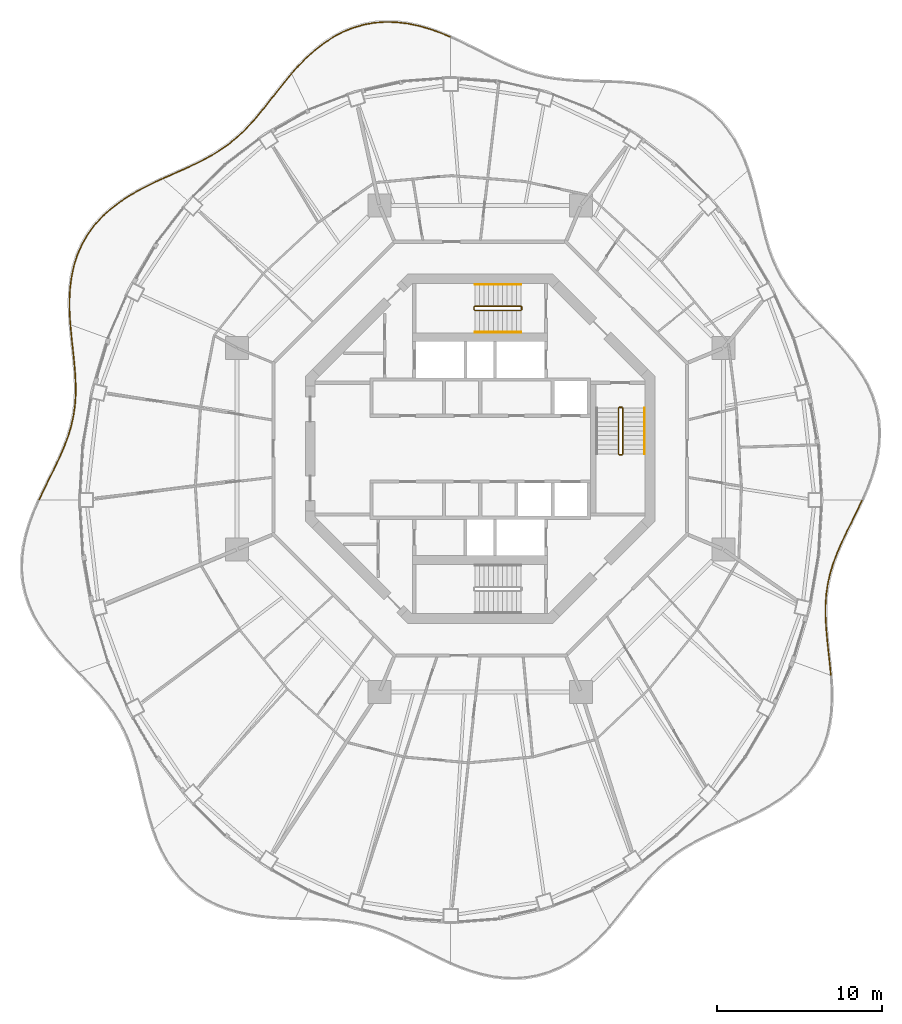
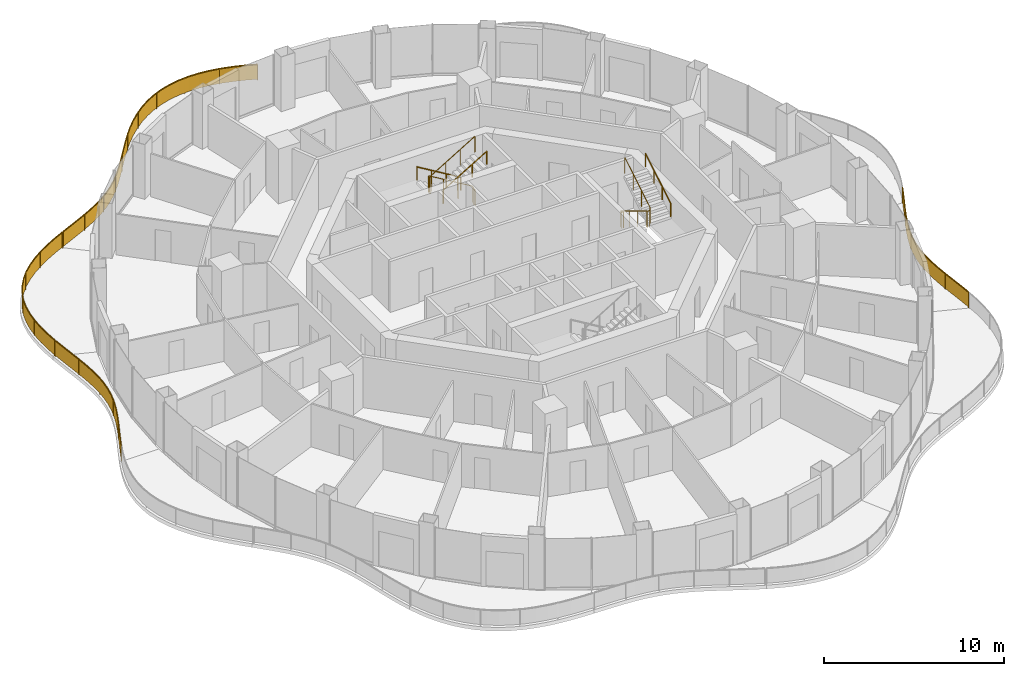
# One storey, part 16 of 17: 10 railings.
"""IFC4 building model written with IfcOpenShell, lengths in metres."""

from ifc_helpers import new_model, si_unit, direction, frame, origin, origin_2d, place, context, subcontext, project, spatial, polyline, rectangle, circle, outline, extrude, material, type_object, element, save


model = new_model("IFC4")

# Units and contexts
model_context = context("Model", 3, precision=1e-05, world=origin(), true_north=direction((0.0, 1.0)))
body_context = subcontext(model_context, "Body", "Model", "MODEL_VIEW")
ifc_project = project(units=[si_unit("LENGTHUNIT", "METRE"), si_unit("AREAUNIT", "SQUARE_METRE"), si_unit("VOLUMEUNIT", "CUBIC_METRE"), si_unit("PLANEANGLEUNIT", "RADIAN"), si_unit("MASSUNIT", "GRAM", prefix="KILO")], contexts=[model_context])

# Site, building, storey
site_placement = place(None, origin())
site = spatial("IfcSite", under=ifc_project, at=site_placement, CompositionType="ELEMENT")
building_placement = place(site_placement, origin())
building = spatial("IfcBuilding", under=site, at=building_placement, Name="Nagisa Residences", CompositionType="ELEMENT")
storey_placement = place(building_placement, frame((0.0, 0.0, 280.699951171875)))
storey = spatial("IfcBuildingStorey", under=building, at=storey_placement, Name="L71", CompositionType="ELEMENT", Elevation=280.699951171875)

# Railings
ifc_material_1 = material(Name="Stainless steel 316", Category="steel")
railing_type_1 = type_object("IfcRailingType", Name="BALCONY GUARD 1100", PredefinedType="BALUSTRADE", material=ifc_material_1)
railing_1_placement = place(storey_placement, frame((-1.835205078125, 25.0244140625, 0.0)))
element("IfcRailing", 1, at=railing_1_placement, inside=storey, type_object=railing_type_1, Name="guard:L71:bal04-0", PredefinedType="BALUSTRADE", context=body_context, shape_type="SweptSolid", body=[
    extrude(outline(polyline([(-0.602294921875, 0.22412109375), (-0.009521484375, -0.023193359375), (0.009521484375, 0.023193359375), (-0.584228515625, 0.27099609375), (-1.23681640625, 0.5009765625), (-1.901123046875, 0.68896484375), (-2.573486328125, 0.826416015625), (-3.2470703125, 0.906494140625), (-3.9072265625, 0.92626953125), (-4.57666015625, 0.876953125), (-5.23486328125, 0.75927734375), (-5.876953125, 0.57373046875), (-6.498291015625, 0.32275390625), (-7.07958984375, 0.01513671875), (-7.6494140625, -0.352783203125), (-8.19140625, -0.76953125), (-8.70458984375, -1.22607421875), (-9.190185546875, -1.714111328125), (-9.6162109375, -2.19091796875), (-9.5791015625, -2.22412109375), (-9.153564453125, -1.748291015625), (-8.67041015625, -1.2626953125), (-8.15966796875, -0.80810546875), (-7.62060546875, -0.393798828125), (-7.05419921875, -0.0283203125), (-6.477294921875, 0.27734375), (-5.8603515625, 0.5263671875), (-5.2236328125, 0.71044921875), (-4.5703125, 0.8271484375), (-3.90625, 0.8759765625), (-3.2509765625, 0.856689453125), (-2.581298828125, 0.777099609375), (-1.912841796875, 0.64013671875), (-1.251953125, 0.453125), (-0.602294921875, 0.22412109375)])), frame((0.0, 0.0, 1.050048828125)), (0.0, 0.0, 1.0), 0.050048828125),
    extrude(outline(polyline([(-0.595703125, 0.240966796875), (-0.002685546875, -0.00634765625), (0.002685546875, 0.00634765625), (-0.5908203125, 0.254150390625), (-1.2421875, 0.483642578125), (-1.9052734375, 0.67138671875), (-2.576171875, 0.80859375), (-3.24853515625, 0.888671875), (-3.906982421875, 0.908203125), (-4.574462890625, 0.85888671875), (-5.23095703125, 0.74169921875), (-5.870849609375, 0.556640625), (-6.49072265625, 0.306396484375), (-7.070556640625, -0.00048828125), (-7.63916015625, -0.36767578125), (-8.179931640625, -0.783447265625), (-8.6923828125, -1.2392578125), (-9.177001953125, -1.726318359375), (-9.602783203125, -2.202880859375), (-9.592529296875, -2.212158203125), (-9.166748046875, -1.736083984375), (-8.6826171875, -1.24951171875), (-8.171142578125, -0.794189453125), (-7.630859375, -0.37890625), (-7.063232421875, -0.0126953125), (-6.48486328125, 0.293701171875), (-5.866455078125, 0.54345703125), (-5.2275390625, 0.72802734375), (-4.572509765625, 0.84521484375), (-3.906494140625, 0.89404296875), (-3.24951171875, 0.87451171875), (-2.57861328125, 0.794921875), (-1.90869140625, 0.65771484375), (-1.24658203125, 0.470458984375), (-0.595703125, 0.240966796875)])), frame((0.0, 0.0, 0.06005859375)), (0.0, 0.0, 1.0), 0.989990234375),
    extrude(rectangle(XDim=0.0400390625, YDim=0.0400390625, at=origin_2d()), origin(), (0.0, 0.0, 1.0), 1.050048828125),
    extrude(rectangle(XDim=0.0400390625, YDim=0.0400390625, at=origin_2d()), frame((-2.029052734375, 0.689453125, 0.0)), (0.0, 0.0, 1.0), 1.050048828125),
    extrude(rectangle(XDim=0.0400390625, YDim=0.0400390625, at=origin_2d()), frame((-4.15869140625, 0.882568359375, 0.0)), (0.0, 0.0, 1.0), 1.050048828125),
    extrude(rectangle(XDim=0.0400390625, YDim=0.0400390625, at=origin_2d()), frame((-6.238525390625, 0.400634765625, 0.0)), (0.0, 0.0, 1.0), 1.050048828125),
    extrude(rectangle(XDim=0.0400390625, YDim=0.0400390625, at=origin_2d()), frame((-8.068115234375, -0.7060546875, 0.0)), (0.0, 0.0, 1.0), 1.050048828125),
    extrude(rectangle(XDim=0.0400390625, YDim=0.0400390625, at=origin_2d()), frame((-9.59765625, -2.20751953125, 0.0)), (0.0, 0.0, 1.0), 1.050048828125),
])
railing_2_placement = place(storey_placement, frame((-11.48193359375, 22.758056640625, 0.0)))
element("IfcRailing", 2, at=railing_2_placement, inside=storey, type_object=railing_type_1, Name="guard:L71:bal05-0", PredefinedType="BALUSTRADE", context=body_context, shape_type="SweptSolid", body=[
    extrude(outline(polyline([(-0.401611328125, -0.5224609375), (0.019287109375, -0.01611328125), (-0.019287109375, 0.01611328125), (-0.440185546875, -0.49072265625), (-0.87353515625, -1.0341796875), (-1.29345703125, -1.571044921875), (-1.70556640625, -2.09228515625), (-2.116943359375, -2.59130859375), (-2.52001953125, -3.05322265625), (-2.948974609375, -3.4931640625), (-3.395751953125, -3.90087890625), (-3.8642578125, -4.276123046875), (-4.358642578125, -4.62109375), (-4.867919921875, -4.92919921875), (-5.4169921875, -5.2265625), (-5.991943359375, -5.5087890625), (-6.589599609375, -5.782958984375), (-7.205322265625, -6.05615234375), (-7.79150390625, -6.31591796875), (-7.77099609375, -6.36181640625), (-7.184814453125, -6.10205078125), (-6.569091796875, -5.828369140625), (-5.970458984375, -5.55419921875), (-5.39404296875, -5.27099609375), (-4.843017578125, -4.97265625), (-4.331298828125, -4.6630859375), (-3.83447265625, -4.316162109375), (-3.363037109375, -3.93896484375), (-2.914306640625, -3.529296875), (-2.4833984375, -3.08740234375), (-2.078857421875, -2.62353515625), (-1.66650390625, -2.12353515625), (-1.25390625, -1.601806640625), (-0.83447265625, -1.0654296875), (-0.401611328125, -0.5224609375)])), frame((0.0, 0.0, 1.050048828125)), (0.0, 0.0, 1.0), 0.050048828125),
    extrude(outline(polyline([(-0.41552734375, -0.510986328125), (0.00537109375, -0.00439453125), (-0.00537109375, 0.00439453125), (-0.42626953125, -0.502197265625), (-0.859619140625, -1.04541015625), (-1.279296875, -1.58203125), (-1.69140625, -2.103515625), (-2.103271484375, -2.602783203125), (-2.5068359375, -3.065673828125), (-2.9365234375, -3.506103515625), (-3.384033203125, -3.91455078125), (-3.853515625, -4.29052734375), (-4.348876953125, -4.63623046875), (-4.85888671875, -4.94482421875), (-5.40869140625, -5.24267578125), (-5.984130859375, -5.525146484375), (-6.582275390625, -5.79931640625), (-7.197998046875, -6.07275390625), (-7.7841796875, -6.33251953125), (-7.7783203125, -6.34521484375), (-7.192138671875, -6.08544921875), (-6.576416015625, -5.81201171875), (-5.978271484375, -5.537841796875), (-5.40234375, -5.2548828125), (-4.85205078125, -4.95703125), (-4.341064453125, -4.64794921875), (-3.84521484375, -4.3017578125), (-3.374755859375, -3.92529296875), (-2.9267578125, -3.516357421875), (-2.49658203125, -3.074951171875), (-2.092529296875, -2.612060546875), (-1.6806640625, -2.1123046875), (-1.26806640625, -1.5908203125), (-0.848388671875, -1.05419921875), (-0.41552734375, -0.510986328125)])), frame((0.0, 0.0, 0.06005859375)), (0.0, 0.0, 1.0), 0.989990234375),
    extrude(rectangle(XDim=0.0400390625, YDim=0.0400390625, at=origin_2d()), origin(), (0.0, 0.0, 1.0), 1.050048828125),
    extrude(rectangle(XDim=0.0400390625, YDim=0.0400390625, at=origin_2d()), frame((-1.2802734375, -1.5947265625, 0.0)), (0.0, 0.0, 1.0), 1.050048828125),
    extrude(rectangle(XDim=0.0400390625, YDim=0.0400390625, at=origin_2d()), frame((-2.592041015625, -3.162841796875, 0.0)), (0.0, 0.0, 1.0), 1.050048828125),
    extrude(rectangle(XDim=0.0400390625, YDim=0.0400390625, at=origin_2d()), frame((-4.13671875, -4.49658203125, 0.0)), (0.0, 0.0, 1.0), 1.050048828125),
    extrude(rectangle(XDim=0.0400390625, YDim=0.0400390625, at=origin_2d()), frame((-5.916259765625, -5.49951171875, 0.0)), (0.0, 0.0, 1.0), 1.050048828125),
    extrude(rectangle(XDim=0.0400390625, YDim=0.0400390625, at=origin_2d()), frame((-7.78125, -6.3388671875, 0.0)), (0.0, 0.0, 1.0), 1.050048828125),
])
railing_3_placement = place(storey_placement, frame((-19.333251953125, 16.38916015625, 0.0)))
element("IfcRailing", 3, at=railing_3_placement, inside=storey, type_object=railing_type_1, Name="guard:L71:bal06-0", PredefinedType="BALUSTRADE", context=body_context, shape_type="SweptSolid", body=[
    extrude(outline(polyline([(-0.6103515625, -0.310302734375), (0.010498046875, -0.022705078125), (-0.010498046875, 0.022705078125), (-0.63232421875, -0.265380859375), (-1.28857421875, -0.598388671875), (-1.928955078125, -0.961669921875), (-2.54296875, -1.361083984375), (-3.119140625, -1.79931640625), (-3.642578125, -2.269775390625), (-4.119384765625, -2.794921875), (-4.53466796875, -3.362060546875), (-4.884521484375, -3.968505859375), (-5.166259765625, -4.6103515625), (-5.373779296875, -5.269287109375), (-5.5224609375, -5.965576171875), (-5.611083984375, -6.6796875), (-5.646484375, -7.40478515625), (-5.63720703125, -8.135009765625), (-5.594482421875, -8.818359375), (-5.544677734375, -8.8154296875), (-5.58740234375, -8.133056640625), (-5.59619140625, -7.40576171875), (-5.561279296875, -6.68408203125), (-5.47314453125, -5.973876953125), (-5.325439453125, -5.281982421875), (-5.119384765625, -4.6279296875), (-4.839599609375, -3.990966796875), (-4.49267578125, -3.389404296875), (-4.080322265625, -2.82666015625), (-3.607421875, -2.305419921875), (-3.08740234375, -1.837890625), (-2.51416015625, -1.402099609375), (-1.903076171875, -1.004638671875), (-1.2646484375, -0.642333984375), (-0.6103515625, -0.310302734375)])), frame((0.0, 0.0, 1.050048828125)), (0.0, 0.0, 1.0), 0.050048828125),
    extrude(outline(polyline([(-0.6181640625, -0.294189453125), (0.0029296875, -0.00634765625), (-0.0029296875, 0.00634765625), (-0.62451171875, -0.281494140625), (-1.280029296875, -0.6142578125), (-1.919677734375, -0.97705078125), (-2.53271484375, -1.3759765625), (-3.107666015625, -1.813232421875), (-3.6298828125, -2.28271484375), (-4.105224609375, -2.806396484375), (-4.51953125, -3.371826171875), (-4.868408203125, -3.9765625), (-5.1494140625, -4.61669921875), (-5.3564453125, -5.27392578125), (-5.504638671875, -5.968505859375), (-5.59326171875, -6.681396484375), (-5.62841796875, -7.405029296875), (-5.619384765625, -8.13427734375), (-5.57666015625, -8.8173828125), (-5.5625, -8.81640625), (-5.605224609375, -8.1337890625), (-5.6142578125, -7.405517578125), (-5.5791015625, -6.682373046875), (-5.490966796875, -5.970947265625), (-5.3427734375, -5.27734375), (-5.13623046875, -4.62158203125), (-4.855712890625, -3.98291015625), (-4.5078125, -3.379638671875), (-4.094482421875, -2.815185546875), (-3.6201171875, -2.29248046875), (-3.098876953125, -1.823974609375), (-2.5244140625, -1.38720703125), (-1.912353515625, -0.9892578125), (-1.273193359375, -0.62646484375), (-0.6181640625, -0.294189453125)])), frame((0.0, 0.0, 0.06005859375)), (0.0, 0.0, 1.0), 0.989990234375),
    extrude(rectangle(XDim=0.0400390625, YDim=0.0400390625, at=origin_2d()), origin(), (0.0, 0.0, 1.0), 1.050048828125),
    extrude(rectangle(XDim=0.0400390625, YDim=0.0400390625, at=origin_2d()), frame((-2.01513671875, -1.047607421875, 0.0)), (0.0, 0.0, 1.0), 1.050048828125),
    extrude(rectangle(XDim=0.0400390625, YDim=0.0400390625, at=origin_2d()), frame((-3.7841796875, -2.462890625, 0.0)), (0.0, 0.0, 1.0), 1.050048828125),
    extrude(rectangle(XDim=0.0400390625, YDim=0.0400390625, at=origin_2d()), frame((-5.025146484375, -4.35107421875, 0.0)), (0.0, 0.0, 1.0), 1.050048828125),
    extrude(rectangle(XDim=0.0400390625, YDim=0.0400390625, at=origin_2d()), frame((-5.569580078125, -6.54736328125, 0.0)), (0.0, 0.0, 1.0), 1.050048828125),
    extrude(rectangle(XDim=0.0400390625, YDim=0.0400390625, at=origin_2d()), frame((-5.569580078125, -8.81689453125, 0.0)), (0.0, 0.0, 1.0), 1.050048828125),
])
railing_4_placement = place(storey_placement, frame((-24.895751953125, 7.495849609375, 0.0)))
element("IfcRailing", 4, at=railing_4_placement, inside=storey, type_object=railing_type_1, Name="guard:L71:bal07-0", PredefinedType="BALUSTRADE", context=body_context, shape_type="SweptSolid", body=[
    extrude(outline(polyline([(0.0908203125, -0.697265625), (0.02490234375, 0.00244140625), (-0.02490234375, -0.00244140625), (0.041015625, -0.7021484375), (0.11962890625, -1.435791015625), (0.19580078125, -2.154541015625), (0.25732421875, -2.85595703125), (0.29296875, -3.539794921875), (0.2958984375, -4.19287109375), (0.253173828125, -4.84423828125), (0.16259765625, -5.483642578125), (0.02294921875, -6.1142578125), (-0.16552734375, -6.74072265625), (-0.397216796875, -7.353759765625), (-0.6689453125, -7.984375), (-0.97021484375, -8.622802734375), (-1.2900390625, -9.2724609375), (-1.61572265625, -9.934326171875), (-1.916748046875, -10.568359375), (-1.871337890625, -10.58984375), (-1.57080078125, -9.956298828125), (-1.2451171875, -9.29443359375), (-0.92529296875, -8.644775390625), (-0.62353515625, -8.0048828125), (-0.350830078125, -7.372314453125), (-0.1181640625, -6.7568359375), (0.0712890625, -6.126953125), (0.2119140625, -5.492431640625), (0.302978515625, -4.849609375), (0.34619140625, -4.1943359375), (0.3427734375, -3.538330078125), (0.30712890625, -2.8525390625), (0.24560546875, -2.149658203125), (0.16943359375, -1.430419921875), (0.0908203125, -0.697265625)])), frame((0.0, 0.0, 1.050048828125)), (0.0, 0.0, 1.0), 0.050048828125),
    extrude(outline(polyline([(0.072998046875, -0.698974609375), (0.007080078125, 0.000732421875), (-0.007080078125, -0.000732421875), (0.058837890625, -0.700439453125), (0.137451171875, -1.433837890625), (0.213623046875, -2.15283203125), (0.275146484375, -2.854736328125), (0.310791015625, -3.539306640625), (0.31396484375, -4.193359375), (0.27099609375, -4.84619140625), (0.180419921875, -5.48681640625), (0.040283203125, -6.118896484375), (-0.1484375, -6.74658203125), (-0.380615234375, -7.3603515625), (-0.652587890625, -7.99169921875), (-0.9541015625, -8.630859375), (-1.27392578125, -9.2802734375), (-1.599609375, -9.9423828125), (-1.900390625, -10.576171875), (-1.8876953125, -10.58203125), (-1.5869140625, -9.9482421875), (-1.26123046875, -9.28662109375), (-0.94140625, -8.63671875), (-0.639892578125, -7.99755859375), (-0.367431640625, -7.36572265625), (-0.13525390625, -6.7509765625), (0.053955078125, -6.122314453125), (0.194091796875, -5.4892578125), (0.28515625, -4.84765625), (0.328125, -4.19384765625), (0.324951171875, -3.538818359375), (0.289306640625, -2.853759765625), (0.227783203125, -2.1513671875), (0.151611328125, -1.432373046875), (0.072998046875, -0.698974609375)])), frame((0.0, 0.0, 0.06005859375)), (0.0, 0.0, 1.0), 0.989990234375),
    extrude(rectangle(XDim=0.0400390625, YDim=0.0400390625, at=origin_2d()), origin(), (0.0, 0.0, 1.0), 1.050048828125),
    extrude(rectangle(XDim=0.0400390625, YDim=0.0400390625, at=origin_2d()), frame((0.224365234375, -2.1943359375, 0.0)), (0.0, 0.0, 1.0), 1.050048828125),
    extrude(rectangle(XDim=0.0400390625, YDim=0.0400390625, at=origin_2d()), frame((0.3076171875, -4.396240234375, 0.0)), (0.0, 0.0, 1.0), 1.050048828125),
    extrude(rectangle(XDim=0.0400390625, YDim=0.0400390625, at=origin_2d()), frame((-0.0849609375, -6.559814453125, 0.0)), (0.0, 0.0, 1.0), 1.050048828125),
    extrude(rectangle(XDim=0.0400390625, YDim=0.0400390625, at=origin_2d()), frame((-0.9296875, -8.595458984375, 0.0)), (0.0, 0.0, 1.0), 1.050048828125),
    extrude(rectangle(XDim=0.0400390625, YDim=0.0400390625, at=origin_2d()), frame((-1.89404296875, -10.5791015625, 0.0)), (0.0, 0.0, 1.0), 1.050048828125),
])
railing_5_placement = place(storey_placement, frame((21.295654296875, -13.731201171875, 0.0)))
element("IfcRailing", 5, at=railing_5_placement, inside=storey, type_object=railing_type_1, Name="guard:L71:bal15-0", PredefinedType="BALUSTRADE", context=body_context, shape_type="SweptSolid", body=[
    extrude(outline(polyline([(-0.090576171875, 0.697265625), (-0.02490234375, -0.00244140625), (0.02490234375, 0.00244140625), (-0.040771484375, 0.7021484375), (-0.119384765625, 1.435791015625), (-0.19580078125, 2.154541015625), (-0.25732421875, 2.85595703125), (-0.292724609375, 3.539794921875), (-0.295654296875, 4.19287109375), (-0.2529296875, 4.843994140625), (-0.16259765625, 5.483642578125), (-0.022705078125, 6.1142578125), (0.165771484375, 6.74072265625), (0.3974609375, 7.353759765625), (0.6689453125, 7.984375), (0.97021484375, 8.622802734375), (1.2900390625, 9.2724609375), (1.61572265625, 9.934326171875), (1.916748046875, 10.568359375), (1.871337890625, 10.58984375), (1.57080078125, 9.956298828125), (1.2451171875, 9.29443359375), (0.92529296875, 8.644775390625), (0.62353515625, 8.0048828125), (0.35107421875, 7.372314453125), (0.118408203125, 6.7568359375), (-0.071044921875, 6.126953125), (-0.2119140625, 5.492431640625), (-0.302734375, 4.849365234375), (-0.345947265625, 4.1943359375), (-0.342529296875, 3.538330078125), (-0.30712890625, 2.8525390625), (-0.24560546875, 2.149658203125), (-0.169189453125, 1.430419921875), (-0.090576171875, 0.697265625)])), frame((0.0, 0.0, 1.050048828125)), (0.0, 0.0, 1.0), 0.050048828125),
    extrude(outline(polyline([(-0.07275390625, 0.698974609375), (-0.007080078125, -0.000732421875), (0.007080078125, 0.000732421875), (-0.05859375, 0.700439453125), (-0.13720703125, 1.433837890625), (-0.213623046875, 2.15283203125), (-0.275146484375, 2.854736328125), (-0.310546875, 3.539306640625), (-0.313720703125, 4.193359375), (-0.270751953125, 4.845947265625), (-0.180419921875, 5.48681640625), (-0.0400390625, 6.118896484375), (0.148681640625, 6.74658203125), (0.380859375, 7.3603515625), (0.652587890625, 7.99169921875), (0.9541015625, 8.630859375), (1.27392578125, 9.2802734375), (1.599609375, 9.9423828125), (1.900390625, 10.576171875), (1.8876953125, 10.58203125), (1.5869140625, 9.9482421875), (1.26123046875, 9.28662109375), (0.94140625, 8.63671875), (0.639892578125, 7.99755859375), (0.36767578125, 7.36572265625), (0.135498046875, 6.7509765625), (-0.0537109375, 6.122314453125), (-0.194091796875, 5.4892578125), (-0.284912109375, 4.847412109375), (-0.327880859375, 4.19384765625), (-0.32470703125, 3.538818359375), (-0.289306640625, 2.853759765625), (-0.227783203125, 2.1513671875), (-0.1513671875, 1.432373046875), (-0.07275390625, 0.698974609375)])), frame((0.0, 0.0, 0.06005859375)), (0.0, 0.0, 1.0), 0.989990234375),
    extrude(rectangle(XDim=0.0400390625, YDim=0.0400390625, at=origin_2d()), origin(), (0.0, 0.0, 1.0), 1.050048828125),
    extrude(rectangle(XDim=0.0400390625, YDim=0.0400390625, at=origin_2d()), frame((-0.224365234375, 2.1943359375, 0.0)), (0.0, 0.0, 1.0), 1.050048828125),
    extrude(rectangle(XDim=0.0400390625, YDim=0.0400390625, at=origin_2d()), frame((-0.307373046875, 4.396240234375, 0.0)), (0.0, 0.0, 1.0), 1.050048828125),
    extrude(rectangle(XDim=0.0400390625, YDim=0.0400390625, at=origin_2d()), frame((0.085205078125, 6.559814453125, 0.0)), (0.0, 0.0, 1.0), 1.050048828125),
    extrude(rectangle(XDim=0.0400390625, YDim=0.0400390625, at=origin_2d()), frame((0.9296875, 8.595458984375, 0.0)), (0.0, 0.0, 1.0), 1.050048828125),
    extrude(rectangle(XDim=0.0400390625, YDim=0.0400390625, at=origin_2d()), frame((1.89404296875, 10.5791015625, 0.0)), (0.0, 0.0, 1.0), 1.050048828125),
])
ifc_material_2 = material(Name="Stainless steel", Category="steel")
railing_type_2 = type_object("IfcRailingType", Name="Stair guard 1100", PredefinedType="GUARDRAIL", material=ifc_material_2)
railing_6_placement = place(storey_placement, frame((8.599609375, 2.52490234375, 0.0)))
element("IfcRailing", 6, at=railing_6_placement, inside=storey, type_object=railing_type_2, Name="L71 ST-E stair guard 1", PredefinedType="GUARDRAIL", context=body_context, shape_type="SweptSolid", body=[
    extrude(circle(Radius=0.02392578125, at=origin_2d()), frame((0.0, 0.0, 1.076171875), z_axis=(-1.0, 0.0, 0.0), x_axis=(0.0, -1.0, 0.0)), (0.0, 0.0, 1.0), 0.14990234375),
    extrude(circle(Radius=0.02392578125, at=origin_2d()), frame((-0.14990234375, 0.0, 1.076171875), z_axis=(-0.27434429532, -0.273006030465, 0.922064485248), x_axis=(0.705375805398, -0.708833529934, 0.0)), (0.0, 0.0, 1.0), 0.182373046875),
    extrude(circle(Radius=0.02392578125, at=origin_2d()), frame((-0.199951171875, -0.0498046875, 1.244140625), z_axis=(0.0, -0.857242210791, 0.514913383045), x_axis=(1.0, 0.0, 0.0)), (0.0, 0.0, 1.0), 3.266357421875),
    extrude(circle(Radius=0.02392578125, at=origin_2d()), frame((-0.199951171875, -2.849853515625, 2.92626953125), z_axis=(0.707106781187, -0.707106781187, 0.0), x_axis=(0.707106781187, 0.707106781187, 0.0)), (0.0, 0.0, 1.0), 0.07080078125),
    extrude(circle(Radius=0.02392578125, at=origin_2d()), frame((-0.14990234375, -2.89990234375, 2.92626953125), z_axis=(1.0, 0.0, 0.0), x_axis=(0.0, 1.0, 0.0)), (0.0, 0.0, 1.0), 0.14990234375),
    extrude(circle(Radius=0.02392578125, at=origin_2d()), frame((0.0, -2.89990234375, 2.92626953125), z_axis=(0.274243871929, 0.274243871929, 0.92172696468), x_axis=(-0.707106781187, 0.707106781187, 0.0)), (0.0, 0.0, 1.0), 0.1826171875),
    extrude(circle(Radius=0.02392578125, at=origin_2d()), frame((0.050048828125, -2.849853515625, 3.09423828125), z_axis=(0.0, 0.857275202839, 0.514858452973), x_axis=(-1.0, 0.0, 0.0)), (0.0, 0.0, 1.0), 3.26611328125),
    extrude(circle(Radius=0.02099609375, at=origin_2d()), origin(), (0.0, 0.0, 1.0), 1.052001953125),
    extrude(circle(Radius=0.02099609375, at=origin_2d()), frame((-0.14990234375, 0.0, 0.0)), (0.0, 0.0, 1.0), 1.052001953125),
    extrude(circle(Radius=0.02099609375, at=origin_2d()), frame((-0.199951171875, -0.0498046875, 0.168212890625)), (0.0, 0.0, 1.0), 1.052001953125),
    extrude(circle(Radius=0.02099609375, at=origin_2d()), frame((-0.199951171875, -0.983154296875, 0.728759765625)), (0.0, 0.0, 1.0), 1.052001953125),
    extrude(circle(Radius=0.02099609375, at=origin_2d()), frame((-0.199951171875, -1.91650390625, 1.28955078125)), (0.0, 0.0, 1.0), 1.052001953125),
    extrude(circle(Radius=0.02099609375, at=origin_2d()), frame((-0.199951171875, -2.849853515625, 1.85009765625)), (0.0, 0.0, 1.0), 1.052001953125),
    extrude(circle(Radius=0.02099609375, at=origin_2d()), frame((-0.14990234375, -2.89990234375, 1.85009765625)), (0.0, 0.0, 1.0), 1.052001953125),
    extrude(circle(Radius=0.02099609375, at=origin_2d()), frame((0.0, -2.89990234375, 1.85009765625)), (0.0, 0.0, 1.0), 1.052001953125),
    extrude(circle(Radius=0.02099609375, at=origin_2d()), frame((0.050048828125, -2.849853515625, 2.018310546875)), (0.0, 0.0, 1.0), 1.052001953125),
    extrude(circle(Radius=0.02099609375, at=origin_2d()), frame((0.050048828125, -1.91650390625, 2.578857421875)), (0.0, 0.0, 1.0), 1.052001953125),
    extrude(circle(Radius=0.02099609375, at=origin_2d()), frame((0.050048828125, -0.983154296875, 3.139404296875)), (0.0, 0.0, 1.0), 1.052001953125),
    extrude(circle(Radius=0.02099609375, at=origin_2d()), frame((0.050048828125, -0.0498046875, 3.699951171875)), (0.0, 0.0, 1.0), 1.052001953125),
])
railing_7_placement = place(storey_placement, frame((2.52490234375, 8.44970703125, 0.0)))
element("IfcRailing", 7, at=railing_7_placement, inside=storey, type_object=railing_type_2, Name="L71 ST-N stair guard 1", PredefinedType="GUARDRAIL", context=body_context, shape_type="SweptSolid", body=[
    extrude(circle(Radius=0.02392578125, at=origin_2d()), frame((0.0, 0.0, 1.076171875), z_axis=(0.0, 1.0, 0.0), x_axis=(-1.0, 0.0, 0.0)), (0.0, 0.0, 1.0), 0.14990234375),
    extrude(circle(Radius=0.02392578125, at=origin_2d()), frame((0.0, 0.14990234375, 1.076171875), z_axis=(-0.273006030465, 0.27434429532, 0.922064485248), x_axis=(-0.708833529934, -0.705375805398, 0.0)), (0.0, 0.0, 1.0), 0.182373046875),
    extrude(circle(Radius=0.02392578125, at=origin_2d()), frame((-0.0498046875, 0.199951171875, 1.244140625), z_axis=(-0.857242210791, 0.0, 0.514913383045), x_axis=(0.0, -1.0, 0.0)), (0.0, 0.0, 1.0), 3.266357421875),
    extrude(circle(Radius=0.02392578125, at=origin_2d()), frame((-2.849853515625, 0.199951171875, 2.92626953125), z_axis=(-0.707106781187, -0.707106781187, 0.0), x_axis=(0.707106781187, -0.707106781187, 0.0)), (0.0, 0.0, 1.0), 0.07080078125),
    extrude(circle(Radius=0.02392578125, at=origin_2d()), frame((-2.89990234375, 0.14990234375, 2.92626953125), z_axis=(0.0, -1.0, 0.0), x_axis=(1.0, 0.0, 0.0)), (0.0, 0.0, 1.0), 0.14990234375),
    extrude(circle(Radius=0.02392578125, at=origin_2d()), frame((-2.89990234375, 0.0, 2.92626953125), z_axis=(0.274243871929, -0.274243871929, 0.92172696468), x_axis=(0.707106781187, 0.707106781187, 0.0)), (0.0, 0.0, 1.0), 0.1826171875),
    extrude(circle(Radius=0.02392578125, at=origin_2d()), frame((-2.849853515625, -0.050048828125, 3.09423828125), z_axis=(0.857275202839, 0.0, 0.514858452973), x_axis=(0.0, 1.0, 0.0)), (0.0, 0.0, 1.0), 3.26611328125),
    extrude(circle(Radius=0.02099609375, at=origin_2d()), origin(), (0.0, 0.0, 1.0), 1.052001953125),
    extrude(circle(Radius=0.02099609375, at=origin_2d()), frame((0.0, 0.14990234375, 0.0)), (0.0, 0.0, 1.0), 1.052001953125),
    extrude(circle(Radius=0.02099609375, at=origin_2d()), frame((-0.0498046875, 0.199951171875, 0.168212890625)), (0.0, 0.0, 1.0), 1.052001953125),
    extrude(circle(Radius=0.02099609375, at=origin_2d()), frame((-0.983154296875, 0.199951171875, 0.728759765625)), (0.0, 0.0, 1.0), 1.052001953125),
    extrude(circle(Radius=0.02099609375, at=origin_2d()), frame((-1.91650390625, 0.199951171875, 1.28955078125)), (0.0, 0.0, 1.0), 1.052001953125),
    extrude(circle(Radius=0.02099609375, at=origin_2d()), frame((-2.849853515625, 0.199951171875, 1.85009765625)), (0.0, 0.0, 1.0), 1.052001953125),
    extrude(circle(Radius=0.02099609375, at=origin_2d()), frame((-2.89990234375, 0.14990234375, 1.85009765625)), (0.0, 0.0, 1.0), 1.052001953125),
    extrude(circle(Radius=0.02099609375, at=origin_2d()), frame((-2.89990234375, 0.0, 1.85009765625)), (0.0, 0.0, 1.0), 1.052001953125),
    extrude(circle(Radius=0.02099609375, at=origin_2d()), frame((-2.849853515625, -0.050048828125, 2.018310546875)), (0.0, 0.0, 1.0), 1.052001953125),
    extrude(circle(Radius=0.02099609375, at=origin_2d()), frame((-1.91650390625, -0.050048828125, 2.578857421875)), (0.0, 0.0, 1.0), 1.052001953125),
    extrude(circle(Radius=0.02099609375, at=origin_2d()), frame((-0.983154296875, -0.050048828125, 3.139404296875)), (0.0, 0.0, 1.0), 1.052001953125),
    extrude(circle(Radius=0.02099609375, at=origin_2d()), frame((-0.0498046875, -0.050048828125, 3.699951171875)), (0.0, 0.0, 1.0), 1.052001953125),
])
ifc_material_3 = material(Name="Stainless steel", Category="steel")
railing_type_3 = type_object("IfcRailingType", Name="Stair handrail 900", PredefinedType="HANDRAIL", material=ifc_material_3)
railing_8_placement = place(storey_placement, frame((9.974609375, -0.324951171875, 2.018310546875)))
element("IfcRailing", 8, at=railing_8_placement, inside=storey, type_object=railing_type_3, Name="L71 ST-E stair handrail 2", PredefinedType="HANDRAIL", context=body_context, shape_type="SweptSolid", body=[
    extrude(circle(Radius=0.02392578125, at=origin_2d()), frame((0.0, 0.0, 0.8759765625), z_axis=(0.0, 0.857275202839, 0.514858452973), x_axis=(-1.0, 0.0, 0.0)), (0.0, 0.0, 1.0), 3.26611328125),
    extrude(circle(Radius=0.02099609375, at=origin_2d()), origin(), (0.0, 0.0, 1.0), 0.851806640625),
    extrude(circle(Radius=0.02099609375, at=origin_2d()), frame((0.0, 0.933349609375, 0.560546875)), (0.0, 0.0, 1.0), 0.851806640625),
    extrude(circle(Radius=0.02099609375, at=origin_2d()), frame((0.0, 1.86669921875, 1.12109375)), (0.0, 0.0, 1.0), 0.851806640625),
    extrude(circle(Radius=0.02099609375, at=origin_2d()), frame((0.0, 2.800048828125, 1.681640625)), (0.0, 0.0, 1.0), 0.851806640625),
])
railing_9_placement = place(storey_placement, frame((2.47509765625, 9.974609375, 0.168212890625)))
element("IfcRailing", 9, at=railing_9_placement, inside=storey, type_object=railing_type_3, Name="L71 ST-N stair handrail 1", PredefinedType="HANDRAIL", context=body_context, shape_type="SweptSolid", body=[
    extrude(circle(Radius=0.02392578125, at=origin_2d()), frame((0.0, 0.0, 0.8759765625), z_axis=(-0.857242210791, 0.0, 0.514913383045), x_axis=(0.0, -1.0, 0.0)), (0.0, 0.0, 1.0), 3.266357421875),
    extrude(circle(Radius=0.02099609375, at=origin_2d()), origin(), (0.0, 0.0, 1.0), 0.851806640625),
    extrude(circle(Radius=0.02099609375, at=origin_2d()), frame((-0.933349609375, 0.0, 0.560546875)), (0.0, 0.0, 1.0), 0.851806640625),
    extrude(circle(Radius=0.02099609375, at=origin_2d()), frame((-1.86669921875, 0.0, 1.121337890625)), (0.0, 0.0, 1.0), 0.851806640625),
    extrude(circle(Radius=0.02099609375, at=origin_2d()), frame((-2.800048828125, 0.0, 1.681884765625)), (0.0, 0.0, 1.0), 0.851806640625),
])
railing_10_placement = place(storey_placement, frame((-0.324951171875, 7.07470703125, 2.018310546875)))
element("IfcRailing", 10, at=railing_10_placement, inside=storey, type_object=railing_type_3, Name="L71 ST-N stair handrail 2", PredefinedType="HANDRAIL", context=body_context, shape_type="SweptSolid", body=[
    extrude(circle(Radius=0.02392578125, at=origin_2d()), frame((0.0, 0.0, 0.8759765625), z_axis=(0.857275202839, 0.0, 0.514858452973), x_axis=(0.0, 1.0, 0.0)), (0.0, 0.0, 1.0), 3.26611328125),
    extrude(circle(Radius=0.02099609375, at=origin_2d()), origin(), (0.0, 0.0, 1.0), 0.851806640625),
    extrude(circle(Radius=0.02099609375, at=origin_2d()), frame((0.933349609375, 0.0, 0.560546875)), (0.0, 0.0, 1.0), 0.851806640625),
    extrude(circle(Radius=0.02099609375, at=origin_2d()), frame((1.86669921875, 0.0, 1.12109375)), (0.0, 0.0, 1.0), 0.851806640625),
    extrude(circle(Radius=0.02099609375, at=origin_2d()), frame((2.800048828125, 0.0, 1.681640625)), (0.0, 0.0, 1.0), 0.851806640625),
])

save(model, "model.ifc")
